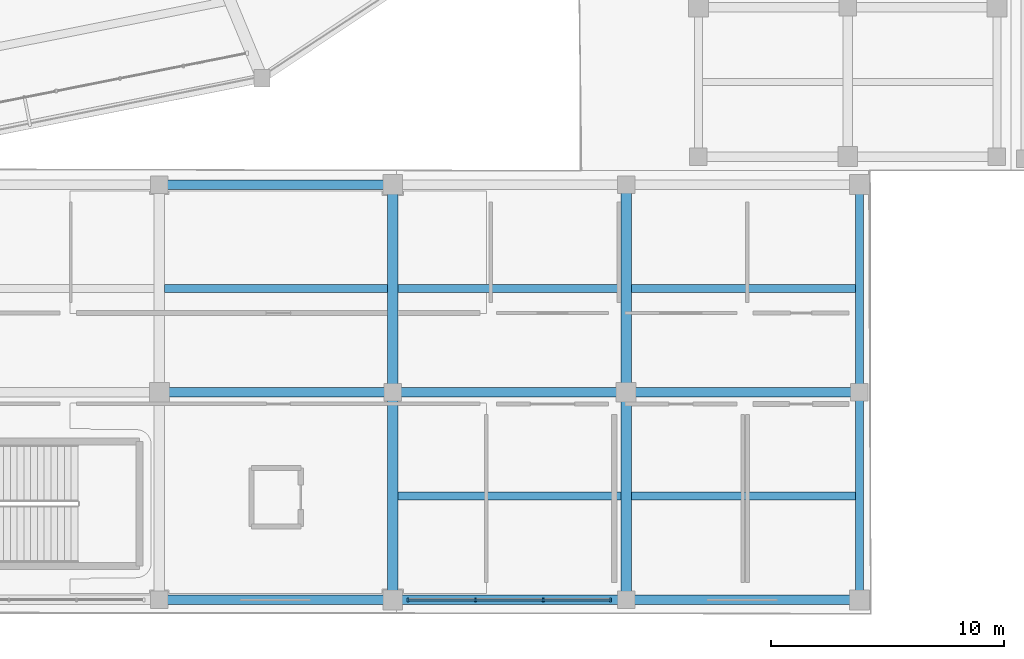
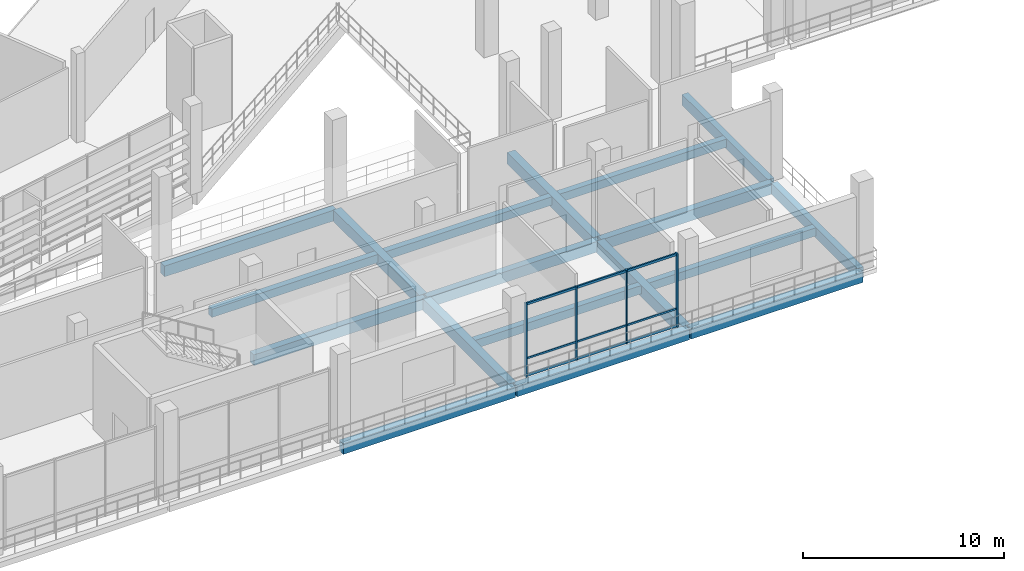
# One storey, part 35 of 114: 18 beams, 7 members, 1 element without a shape of its own.
"""IFC4 building model written with IfcOpenShell, lengths in metres."""

from ifc_helpers import new_model, si_unit, direction, frame, origin, origin_2d, place, context, subcontext, project, spatial, rectangle, extrude, material, material_profile, profile_set, type_object, element, aggregate, save


model = new_model("IFC4")

# Units and contexts
model_context = context("Model", 3, precision=1e-05, world=origin(), true_north=direction((0.0, 1.0)))
body_context = subcontext(model_context, "Body", "Model", "MODEL_VIEW")
ifc_project = project(units=[si_unit("LENGTHUNIT", "METRE"), si_unit("AREAUNIT", "SQUARE_METRE"), si_unit("VOLUMEUNIT", "CUBIC_METRE"), si_unit("PLANEANGLEUNIT", "RADIAN"), si_unit("MASSUNIT", "GRAM", prefix="KILO")], contexts=[model_context])

# Site, building, storey
site_placement = place(None, origin())
site = spatial("IfcSite", under=ifc_project, at=site_placement, CompositionType="ELEMENT")
building_placement = place(site_placement, origin())
building = spatial("IfcBuilding", under=site, at=building_placement, Name="Candeia Ridge Stadium", CompositionType="ELEMENT")
storey_placement = place(building_placement, frame((0.0, 0.0, 5.39990234375)))
storey = spatial("IfcBuildingStorey", under=building, at=storey_placement, Name="L01", CompositionType="ELEMENT", Elevation=5.39990234375)

# Curtain wall, members
ifc_material_1 = material(Name="Aluminium Anodized Warm Bronze", Category="aluminium")
curtain_wall_type = type_object("IfcCurtainWallType", Name="Museum & Boulevard Showcase Curtain Wall", PredefinedType="NOTDEFINED", material=ifc_material_1)
curtain_wall_placement = place(storey_placement, origin())
curtain_wall = element("IfcCurtainWall", 1, at=curtain_wall_placement, inside=storey, type_object=curtain_wall_type, Name="Unitised curtain wall CW-WNG-L01-116", PredefinedType="NOTDEFINED")
ifc_material_profile_1 = material_profile(ifc_material_1, rectangle(XDim=0.090087890625, YDim=0.179931640625, at=origin_2d()), Name="CWM-90x180", Category="aluminium")
ifc_profile_set_1 = profile_set([ifc_material_profile_1], Name="Aluminium Anodized Warm Bronze")
member_type_1 = type_object("IfcMemberType", Name="Curtain Wall Primary Mullion 90x180", PredefinedType="MULLION", material=ifc_profile_set_1)
member_1_placement = place(storey_placement, frame((167.159912109375, 0.60009765625, 0.0), z_axis=(0.0, 0.0, 1.0), x_axis=(1.0, 0.0, 0.0)))
member_1 = element("IfcMember", 2, at=member_1_placement, type_object=member_type_1, Name="Curtain wall mullion CW-WNG-L01-116-M0", PredefinedType="MULLION", context=body_context, shape_type="SweptSolid", body=[
    extrude(rectangle(XDim=0.090087890625, YDim=0.179931640625, at=origin_2d()), origin(), (0.0, 0.0, 1.0), 4.47509765625),
])
member_2_placement = place(storey_placement, frame((175.840087890625, 0.60009765625, 0.0), z_axis=(0.0, 0.0, 1.0), x_axis=(1.0, 0.0, 0.0)))
member_2 = element("IfcMember", 3, at=member_2_placement, type_object=member_type_1, Name="Curtain wall mullion CW-WNG-L01-116-M3", PredefinedType="MULLION", context=body_context, shape_type="SweptSolid", body=[
    extrude(rectangle(XDim=0.090087890625, YDim=0.179931640625, at=origin_2d()), origin(), (0.0, 0.0, 1.0), 4.47509765625),
])
ifc_material_profile_2 = material_profile(ifc_material_1, rectangle(XDim=0.074951171875, YDim=0.14990234375, at=origin_2d()), Name="CWM-75x150", Category="aluminium")
ifc_profile_set_2 = profile_set([ifc_material_profile_2], Name="Aluminium Anodized Warm Bronze")
member_type_2 = type_object("IfcMemberType", Name="Curtain Wall Secondary Mullion 75x150", PredefinedType="MULLION", material=ifc_profile_set_2)
member_3_placement = place(storey_placement, frame((170.05322265625, 0.60009765625, 0.0), z_axis=(0.0, 0.0, 1.0), x_axis=(1.0, 0.0, 0.0)))
member_3 = element("IfcMember", 4, at=member_3_placement, type_object=member_type_2, Name="Curtain wall mullion CW-WNG-L01-116-M1", PredefinedType="MULLION", context=body_context, shape_type="SweptSolid", body=[
    extrude(rectangle(XDim=0.074951171875, YDim=0.14990234375, at=origin_2d()), origin(), (0.0, 0.0, 1.0), 4.47509765625),
])
member_4_placement = place(storey_placement, frame((172.94677734375, 0.60009765625, 0.0), z_axis=(0.0, 0.0, 1.0), x_axis=(1.0, 0.0, 0.0)))
member_4 = element("IfcMember", 5, at=member_4_placement, type_object=member_type_2, Name="Curtain wall mullion CW-WNG-L01-116-M2", PredefinedType="MULLION", context=body_context, shape_type="SweptSolid", body=[
    extrude(rectangle(XDim=0.074951171875, YDim=0.14990234375, at=origin_2d()), origin(), (0.0, 0.0, 1.0), 4.47509765625),
])
ifc_material_profile_3 = material_profile(ifc_material_1, rectangle(XDim=0.074951171875, YDim=0.110107421875, at=origin_2d()), Name="CWT-75x110", Category="aluminium")
ifc_profile_set_3 = profile_set([ifc_material_profile_3], Name="Aluminium Anodized Warm Bronze")
member_type_3 = type_object("IfcMemberType", Name="Curtain Wall Secondary Transom 75x110", PredefinedType="USERDEFINED", material=ifc_profile_set_3)
member_5_placement = place(storey_placement, frame((167.159912109375, 0.60009765625, 1.10009765625), z_axis=(1.0, 0.0, 0.0), x_axis=(0.0, 1.0, 0.0)))
member_5 = element("IfcMember", 6, at=member_5_placement, type_object=member_type_3, Name="Curtain wall transom CW-WNG-L01-116-T1", ObjectType="TRANSOM", PredefinedType="USERDEFINED", context=body_context, shape_type="SweptSolid", body=[
    extrude(rectangle(XDim=0.074951171875, YDim=0.110107421875, at=origin_2d()), origin(), (0.0, 0.0, 1.0), 8.68017578125),
])
ifc_material_profile_4 = material_profile(ifc_material_1, rectangle(XDim=0.090087890625, YDim=0.139892578125, at=origin_2d()), Name="CWT-90x140", Category="aluminium")
ifc_profile_set_4 = profile_set([ifc_material_profile_4], Name="Aluminium Anodized Warm Bronze")
member_type_4 = type_object("IfcMemberType", Name="Curtain Wall Transom 90x140", PredefinedType="USERDEFINED", material=ifc_profile_set_4)
member_6_placement = place(storey_placement, frame((167.159912109375, 0.60009765625, 0.070068359375), z_axis=(1.0, 0.0, 0.0), x_axis=(0.0, 1.0, 0.0)))
member_6 = element("IfcMember", 7, at=member_6_placement, type_object=member_type_4, Name="Curtain wall transom CW-WNG-L01-116-T0", ObjectType="TRANSOM", PredefinedType="USERDEFINED", context=body_context, shape_type="SweptSolid", body=[
    extrude(rectangle(XDim=0.090087890625, YDim=0.139892578125, at=origin_2d()), origin(), (0.0, 0.0, 1.0), 8.68017578125),
])
member_7_placement = place(storey_placement, frame((167.159912109375, 0.60009765625, 4.405029296875), z_axis=(1.0, 0.0, 0.0), x_axis=(0.0, 1.0, 0.0)))
member_7 = element("IfcMember", 8, at=member_7_placement, type_object=member_type_4, Name="Curtain wall transom CW-WNG-L01-116-T2", ObjectType="TRANSOM", PredefinedType="USERDEFINED", context=body_context, shape_type="SweptSolid", body=[
    extrude(rectangle(XDim=0.090087890625, YDim=0.139892578125, at=origin_2d()), origin(), (0.0, 0.0, 1.0), 8.68017578125),
])
aggregate(curtain_wall, [member_1, member_3, member_4, member_2, member_6, member_5, member_7])

# Beams
ifc_material_2 = material(Name="Concrete C40/50", Category="concrete")
ifc_material_profile_5 = material_profile(ifc_material_2, rectangle(XDim=0.35009765625, YDim=0.5, at=origin_2d()), Name="RC350x500", Category="concrete")
ifc_profile_set_5 = profile_set([ifc_material_profile_5], Name="Concrete C40/50")
beam_type_1 = type_object("IfcBeamType", Name="Floor Joist RC350x500", PredefinedType="JOIST", material=ifc_profile_set_5)
for number, where, z_axis, x_axis, name in (
    (9, (156.724609375, 13.949951171875, -0.510009765625), (1.0, 0.0, 0.0), (0.0, 1.0, 0.0), "Wing secondary joist BM-L01-2006"),
    (10, (166.724609375, 5.050048828125, -0.510009765625), (1.0, 0.0, 0.0), (0.0, 1.0, 0.0), "Wing secondary joist BM-L01-2009"),
    (11, (166.724609375, 13.949951171875, -0.510009765625), (1.0, 0.0, 0.0), (0.0, 1.0, 0.0), "Wing secondary joist BM-L01-2011"),
):
    element("IfcBeam", number, at=place(storey_placement, frame(where, z_axis=z_axis, x_axis=x_axis)), inside=storey, type_object=beam_type_1, Name=name, PredefinedType="JOIST", context=body_context, shape_type="SweptSolid", body=[
        extrude(rectangle(XDim=0.35009765625, YDim=0.5, at=origin_2d()), origin(), (0.0, 0.0, 1.0), 9.55078125),
    ])
for number, where, z_axis, x_axis, name in (
    (12, (176.724609375, 5.050048828125, -0.510009765625), (1.0, 0.0, 0.0), (0.0, 1.0, 0.0), "Wing secondary joist BM-L01-2014"),
    (13, (176.724609375, 13.949951171875, -0.510009765625), (1.0, 0.0, 0.0), (0.0, 1.0, 0.0), "Wing secondary joist BM-L01-2016"),
):
    element("IfcBeam", number, at=place(storey_placement, frame(where, z_axis=z_axis, x_axis=x_axis)), inside=storey, type_object=beam_type_1, Name=name, PredefinedType="JOIST", context=body_context, shape_type="SweptSolid", body=[
        extrude(rectangle(XDim=0.35009765625, YDim=0.5, at=origin_2d()), origin(), (0.0, 0.0, 1.0), 9.600830078125),
    ])
ifc_material_profile_6 = material_profile(ifc_material_2, rectangle(XDim=0.449951171875, YDim=0.699951171875, at=origin_2d()), Name="RC450x700", Category="concrete")
ifc_profile_set_6 = profile_set([ifc_material_profile_6], Name="Concrete C40/50")
beam_type_2 = type_object("IfcBeamType", Name="Frame Girder RC450x700", PredefinedType="BEAM", material=ifc_profile_set_6)
for number, where, z_axis, x_axis, name in (
    (14, (166.5, 0.760009765625, -0.60986328125), (0.0, 1.0, 0.0), (-1.0, 0.0, 0.0), "Structural girder BM-L01-1985"),
    (15, (166.5, 9.659912109375, -0.60986328125), (0.0, 1.0, 0.0), (-1.0, 0.0, 0.0), "Structural girder BM-L01-1986"),
    (16, (176.5, 0.760009765625, -0.60986328125), (0.0, 1.0, 0.0), (-1.0, 0.0, 0.0), "Structural girder BM-L01-1987"),
    (17, (176.5, 9.659912109375, -0.60986328125), (0.0, 1.0, 0.0), (-1.0, 0.0, 0.0), "Structural girder BM-L01-1988"),
):
    element("IfcBeam", number, at=place(storey_placement, frame(where, z_axis=z_axis, x_axis=x_axis)), inside=storey, type_object=beam_type_2, Name=name, PredefinedType="BEAM", context=body_context, shape_type="SweptSolid", body=[
        extrude(rectangle(XDim=0.449951171875, YDim=0.699951171875, at=origin_2d()), origin(), (0.0, 0.0, 1.0), 8.580078125),
    ])
ifc_material_profile_7 = material_profile(ifc_material_2, rectangle(XDim=0.35009765625, YDim=0.64990234375, at=origin_2d()), Name="RC350x650", Category="concrete")
ifc_profile_set_7 = profile_set([ifc_material_profile_7], Name="Concrete C40/50")
beam_type_3 = type_object("IfcBeamType", Name="Spandrel Beam RC350x650", PredefinedType="SPANDREL", material=ifc_profile_set_7)
for number, where, z_axis, x_axis, name in (
    (18, (186.5, 0.760009765625, -0.5849609375), (0.0, 1.0, 0.0), (-1.0, 0.0, 0.0), "Structural girder BM-L01-1989"),
    (19, (186.5, 9.659912109375, -0.5849609375), (0.0, 1.0, 0.0), (-1.0, 0.0, 0.0), "Structural girder BM-L01-1990"),
):
    element("IfcBeam", number, at=place(storey_placement, frame(where, z_axis=z_axis, x_axis=x_axis)), inside=storey, type_object=beam_type_3, Name=name, PredefinedType="SPANDREL", context=body_context, shape_type="SweptSolid", body=[
        extrude(rectangle(XDim=0.35009765625, YDim=0.64990234375, at=origin_2d()), origin(), (0.0, 0.0, 1.0), 8.580078125),
    ])
ifc_material_profile_8 = material_profile(ifc_material_2, rectangle(XDim=0.39990234375, YDim=0.64990234375, at=origin_2d()), Name="RC400x650", Category="concrete")
ifc_profile_set_8 = profile_set([ifc_material_profile_8], Name="Concrete C40/50")
beam_type_4 = type_object("IfcBeamType", Name="Wing Primary Girder RC400x650", PredefinedType="BEAM", material=ifc_profile_set_8)
for number, where, z_axis, x_axis, name in (
    (20, (156.550048828125, 0.60009765625, -0.5849609375), (1.0, 0.0, 0.0), (0.0, 1.0, 0.0), "Structural girder BM-L01-2004"),
    (21, (156.550048828125, 9.5, -0.5849609375), (1.0, 0.0, 0.0), (0.0, 1.0, 0.0), "Structural girder BM-L01-2005"),
    (22, (156.550048828125, 18.39990234375, -0.5849609375), (1.0, 0.0, 0.0), (0.0, 1.0, 0.0), "Structural girder BM-L01-2007"),
    (23, (166.550048828125, 0.60009765625, -0.5849609375), (1.0, 0.0, 0.0), (0.0, 1.0, 0.0), "Structural girder BM-L01-2008"),
    (24, (166.550048828125, 9.5, -0.5849609375), (1.0, 0.0, 0.0), (0.0, 1.0, 0.0), "Structural girder BM-L01-2010"),
    (25, (176.550048828125, 0.60009765625, -0.5849609375), (1.0, 0.0, 0.0), (0.0, 1.0, 0.0), "Structural girder BM-L01-2013"),
    (26, (176.550048828125, 9.5, -0.5849609375), (1.0, 0.0, 0.0), (0.0, 1.0, 0.0), "Structural girder BM-L01-2015"),
):
    element("IfcBeam", number, at=place(storey_placement, frame(where, z_axis=z_axis, x_axis=x_axis)), inside=storey, type_object=beam_type_4, Name=name, PredefinedType="BEAM", context=body_context, shape_type="SweptSolid", body=[
        extrude(rectangle(XDim=0.39990234375, YDim=0.64990234375, at=origin_2d()), origin(), (0.0, 0.0, 1.0), 9.89990234375),
    ])

save(model, "model.ifc")
